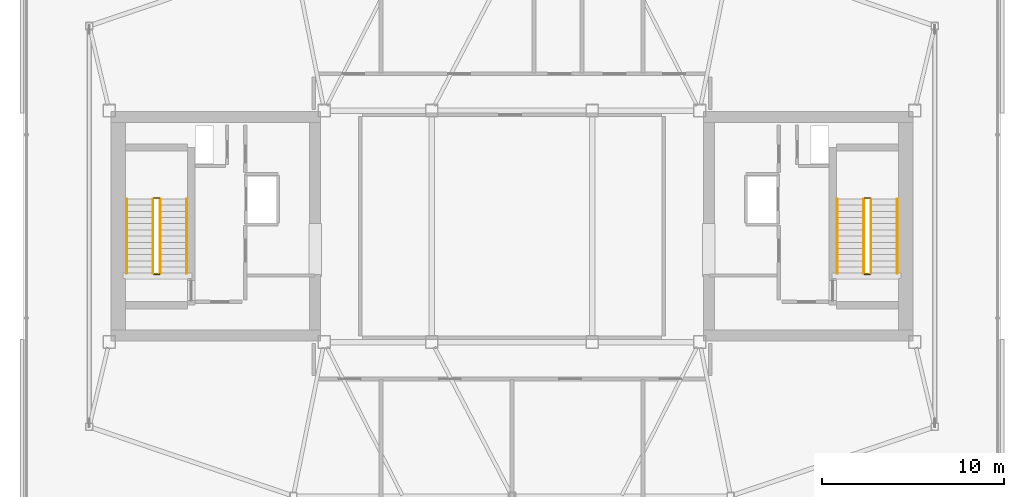
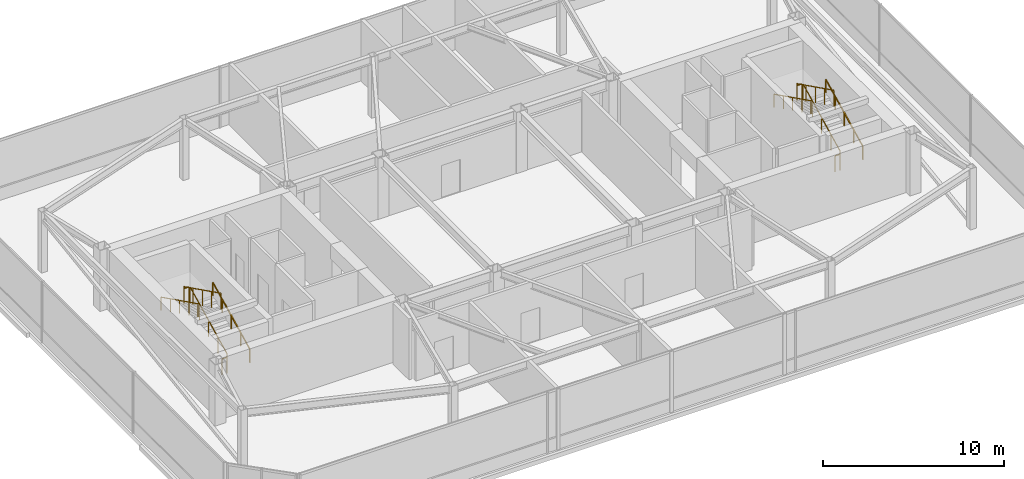
# One storey, part 22 of 22: 12 railings.
"""IFC4 building model written with IfcOpenShell, lengths in metres."""

import ifcopenshell
import ifcopenshell.guid

model = None  # the IFC model being written
_history = None  # IfcOwnerHistory: only IFC2X3 demands one
_inside = {}  # id of a spatial element -> (the spatial element, [elements in it])
_under = {}  # id of a project, library or spatial element -> (it, [spatial elements below it])
_declared = {}  # id of a project -> (the project, [libraries it declares])
_typed = {}  # id of a type object -> (the type object, [elements of that type])
_made_of = {}  # id of a material, layer set ... -> (it, [elements and type objects made of it])


def new_model(schema):
    """Start an empty IFC model of exactly this schema.

    Asked for "IFC4X3", IfcOpenShell would pick the latest addendum, in which some entities
    have other attributes; the version numbers below select the first issue.
    IFC2X3 requires an IfcOwnerHistory on every rooted entity: one is made here for all.
    """
    global model, _history
    if schema == "IFC4X3":
        model = ifcopenshell.file(schema_version=(4, 3, 0, 0))
    else:
        model = ifcopenshell.file(schema=schema)
    _inside.clear()
    _under.clear()
    _declared.clear()
    _typed.clear()
    _made_of.clear()
    _history = None
    if model.schema == "IFC2X3":
        org = make("IfcOrganization", Name="unknown")
        user = make(
            "IfcPersonAndOrganization",
            ThePerson=make("IfcPerson", FamilyName="unknown"),
            TheOrganization=org,
        )
        app = make(
            "IfcApplication",
            ApplicationDeveloper=org,
            Version="unknown",
            ApplicationFullName="unknown",
            ApplicationIdentifier="unknown",
        )
        _history = make(
            "IfcOwnerHistory",
            OwningUser=user,
            OwningApplication=app,
            ChangeAction="ADDED",
            CreationDate=0,
        )
    return model


def make(cls, **values):
    """One entity of the class cls with the attributes given. An attribute that is None is left unset."""
    return model.create_entity(
        cls, **{name: value for name, value in values.items() if value is not None}
    )


def rooted(cls, **values):
    """An entity with a GlobalId (a new one), such as an element, a storey or a relation."""
    return make(cls, GlobalId=ifcopenshell.guid.new(), OwnerHistory=_history, **values)


def si_unit(unit_type, name, prefix=None):
    """IfcSIUnit, for example si_unit("LENGTHUNIT", "METRE", prefix="MILLI")."""
    return make("IfcSIUnit", UnitType=unit_type, Prefix=prefix, Name=name)


def assignment(units):
    """IfcUnitAssignment: the units of a project."""
    return None if units is None else make("IfcUnitAssignment", Units=units)


def point(xyz):
    """IfcCartesianPoint."""
    return None if xyz is None else make("IfcCartesianPoint", Coordinates=xyz)


def direction(xyz):
    """IfcDirection."""
    return None if xyz is None else make("IfcDirection", DirectionRatios=xyz)


def frame(location, z_axis=None, x_axis=None):
    """IfcAxis2Placement3D, a coordinate frame: its origin and axes. An axis left out is left unset."""
    return make(
        "IfcAxis2Placement3D",
        Location=point(location),
        Axis=direction(z_axis),
        RefDirection=direction(x_axis),
    )


def frame_2d(location, x_axis=None):
    """IfcAxis2Placement2D, a coordinate frame in the plane: its origin and x axis."""
    return make(
        "IfcAxis2Placement2D", Location=point(location), RefDirection=direction(x_axis)
    )


def origin():
    """The frame at (0, 0, 0) with its axes left unset."""
    return frame((0.0, 0.0, 0.0))


def origin_2d():
    """The frame at (0, 0) in the plane with its x axis left unset."""
    return frame_2d((0.0, 0.0))


def place(relative_to, where):
    """IfcLocalPlacement: puts the frame where relative to a parent placement (None: the world)."""
    return make(
        "IfcLocalPlacement", PlacementRelTo=relative_to, RelativePlacement=where
    )


def context(
    kind, dimensions, precision=None, world=None, true_north=None, identifier=None
):
    """IfcGeometricRepresentationContext, for example the 3D "Model" context."""
    return make(
        "IfcGeometricRepresentationContext",
        ContextIdentifier=identifier,
        ContextType=kind,
        CoordinateSpaceDimension=dimensions,
        Precision=precision,
        WorldCoordinateSystem=world,
        TrueNorth=true_north,
    )


def subcontext(parent, identifier, kind, view, scale=None):
    """IfcGeometricRepresentationSubContext, for example "Body" below "Model"."""
    return make(
        "IfcGeometricRepresentationSubContext",
        ContextIdentifier=identifier,
        ContextType=kind,
        ParentContext=parent,
        TargetScale=scale,
        TargetView=view,
    )


def project(units=None, contexts=None):
    """IfcProject with its units and contexts."""
    return rooted(
        "IfcProject",
        Name="project",
        RepresentationContexts=contexts,
        UnitsInContext=assignment(units),
    )


def spatial(cls, under=None, at=None, **own):
    """A site, building, storey or space (cls), placed at a placement, below another one or the project."""
    s = rooted(cls, ObjectPlacement=at, **own)
    if under is not None:
        _under.setdefault(under.id(), (under, []))[1].append(s)
    return s


def profile(cls, at=None, kind="AREA", **sizes):
    """A parametric profile (cls). Its sizes go by their IFC names, for example OverallWidth=200.0."""
    return make(cls, ProfileType=kind, Position=at, **sizes)


def rectangle(**sizes):
    """IfcRectangleProfileDef."""
    return profile("IfcRectangleProfileDef", **sizes)


def extrude(swept, where, along, depth):
    """IfcExtrudedAreaSolid: the profile swept, set in the frame where, extruded along a direction by depth."""
    return make(
        "IfcExtrudedAreaSolid",
        SweptArea=swept,
        Position=where,
        ExtrudedDirection=direction(along),
        Depth=depth,
    )


def shape(context_of_items, identifier, shape_type, items):
    """IfcShapeRepresentation: the items that make up one representation, for example the "Body"."""
    return make(
        "IfcShapeRepresentation",
        ContextOfItems=context_of_items,
        RepresentationIdentifier=identifier,
        RepresentationType=shape_type,
        Items=items,
    )


def material(Name=None, Category=None):
    """IfcMaterial."""
    return make("IfcMaterial", Name=Name, Category=Category)


def layer(
    of_material, thickness, ventilated=None, Name=None, Category=None, Priority=None
):
    """IfcMaterialLayer: one layer of a wall or slab, of a material (None: an air gap)."""
    return make(
        "IfcMaterialLayer",
        Material=of_material,
        LayerThickness=thickness,
        IsVentilated=ventilated,
        Name=Name,
        Category=Category,
        Priority=Priority,
    )


def layer_set(layers, Name=None):
    """IfcMaterialLayerSet."""
    return make("IfcMaterialLayerSet", MaterialLayers=layers, LayerSetName=Name)


def made_of(thing, what):
    """Note that an element or type object is made of a material, layer set ...; save() writes the relation."""
    if what is not None:
        _made_of.setdefault(what.id(), (what, []))[1].append(thing)
    return thing


def type_object(cls, material=None, **own):
    """A type object (cls), such as IfcWallType, which elements share."""
    return made_of(rooted(cls, **own), material)


def element(
    cls,
    number,
    at=None,
    inside=None,
    cuts=None,
    type_object=None,
    material=None,
    context=None,
    identifier="Body",
    shape_type=None,
    held_by="IfcProductDefinitionShape",
    body=None,
    shapes=None,
    **own,
):
    """One element of the class cls, such as IfcWall. Its Tag is "e" and its number.

    at: its placement. inside: the storey or other place that contains it. cuts: it is an
    opening in that element (IfcRelVoidsElement). A single representation is given by context,
    identifier, shape_type and body (its items); several are given by shapes. held_by: the class
    of the entity that holds the representations. save() writes the other relations.
    """
    e = rooted(cls, Tag="e%d" % number, ObjectPlacement=at, **own)
    if body is not None:
        shapes = [shape(context, identifier, shape_type, body)]
    if shapes is not None:
        e.Representation = make(held_by, Representations=shapes)
    if inside is not None:
        _inside.setdefault(inside.id(), (inside, []))[1].append(e)
    if cuts is not None:
        rooted(
            "IfcRelVoidsElement", RelatingBuildingElement=cuts, RelatedOpeningElement=e
        )
    if type_object is not None:
        _typed.setdefault(type_object.id(), (type_object, []))[1].append(e)
    return made_of(e, material)


def aggregate(whole, parts):
    """IfcRelAggregates: a whole, such as a stair, and the parts it consists of."""
    return rooted("IfcRelAggregates", RelatingObject=whole, RelatedObjects=parts)


def save(model, path):
    """Write the relations noted so far, then the file.

    IfcRelAggregates (storeys below a building ...), IfcRelContainedInSpatialStructure (elements
    in a storey), IfcRelDefinesByType, IfcRelAssociatesMaterial and IfcRelDeclares: one each for
    every whole, place, type object, material and project.
    """
    for whole, parts in _under.values():
        aggregate(whole, parts)
    for where, things in _inside.values():
        rooted(
            "IfcRelContainedInSpatialStructure",
            RelatedElements=things,
            RelatingStructure=where,
        )
    for kind, things in _typed.values():
        rooted("IfcRelDefinesByType", RelatedObjects=things, RelatingType=kind)
    for what, things in _made_of.values():
        rooted("IfcRelAssociatesMaterial", RelatedObjects=things, RelatingMaterial=what)
    for by, libraries in _declared.values():
        rooted("IfcRelDeclares", RelatingContext=by, RelatedDefinitions=libraries)
    model.write(path)


model = new_model("IFC4")

# Units and contexts
model_context = context("Model", 3, precision=1e-05, world=origin(), true_north=direction((0.0, 1.0)))
body_context = subcontext(model_context, "Body", "Model", "MODEL_VIEW")
ifc_project = project(units=[si_unit("LENGTHUNIT", "METRE"), si_unit("AREAUNIT", "SQUARE_METRE"), si_unit("VOLUMEUNIT", "CUBIC_METRE"), si_unit("PLANEANGLEUNIT", "RADIAN"), si_unit("MASSUNIT", "GRAM", prefix="KILO")], contexts=[model_context])

# Site, building, storey
site_placement = place(None, origin())
site = spatial("IfcSite", under=ifc_project, at=site_placement, CompositionType="ELEMENT")
building_placement = place(site_placement, origin())
building = spatial("IfcBuilding", under=site, at=building_placement, Name="Tavrogorsk Clinical Tower", CompositionType="ELEMENT")
storey_placement = place(building_placement, frame((0.0, 0.0, 339.800048828125)))
storey = spatial("IfcBuildingStorey", under=building, at=storey_placement, Name="L79", CompositionType="ELEMENT", Elevation=339.800048828125)

# Railings
ifc_material_1 = material(Name="Galvanised steel S355 safety stairwell guard", Category="steel")
ifc_layer_1 = layer(ifc_material_1, 0.06005859375)
ifc_layer_set_1 = layer_set([ifc_layer_1], Name="Galvanised steel S355 safety stairwell guard")
railing_type_1 = type_object("IfcRailingType", Name="StairGuard_1150", PredefinedType="GUARDRAIL", material=ifc_layer_set_1)
railing_1_placement = place(storey_placement, frame((-19.300048828125, -2.574951171875, 0.169189453125)))
element("IfcRailing", 1, at=railing_1_placement, inside=storey, type_object=railing_type_1, Name="L79 ST-W stair guard 1", PredefinedType="GUARDRAIL", context=body_context, shape_type="SweptSolid", body=[
    extrude(rectangle(XDim=0.048095703125, YDim=0.048095703125, at=origin_2d()), frame((0.0, 0.0, 1.076171875), z_axis=(0.0, 0.895229316009, 0.445605735777), x_axis=(-1.0, 0.0, 0.0)), (0.0, 0.0, 1.0), 4.557373046875),
    extrude(rectangle(XDim=0.0419921875, YDim=0.0419921875, at=origin_2d()), origin(), (0.0, 0.0, 1.0), 1.052001953125),
    extrude(rectangle(XDim=0.0419921875, YDim=0.0419921875, at=origin_2d()), frame((0.0, 1.02001953125, 0.5078125)), (0.0, 0.0, 1.0), 1.052001953125),
    extrude(rectangle(XDim=0.0419921875, YDim=0.0419921875, at=origin_2d()), frame((0.0, 2.0400390625, 1.015380859375)), (0.0, 0.0, 1.0), 1.052001953125),
    extrude(rectangle(XDim=0.0419921875, YDim=0.0419921875, at=origin_2d()), frame((0.0, 3.059814453125, 1.52294921875)), (0.0, 0.0, 1.0), 1.052001953125),
    extrude(rectangle(XDim=0.0419921875, YDim=0.0419921875, at=origin_2d()), frame((0.0, 4.079833984375, 2.03076171875)), (0.0, 0.0, 1.0), 1.052001953125),
])
railing_2_placement = place(storey_placement, frame((-19.35009765625, 1.554931640625, 2.199951171875)))
element("IfcRailing", 2, at=railing_2_placement, inside=storey, type_object=railing_type_1, Name="L79 ST-W stair guard 2", PredefinedType="GUARDRAIL", context=body_context, shape_type="SweptSolid", body=[
    extrude(rectangle(XDim=0.048095703125, YDim=0.048095703125, at=origin_2d()), frame((0.0, 0.0, 1.076171875), z_axis=(-1.0, 0.0, 0.0), x_axis=(0.0, -1.0, 0.0)), (0.0, 0.0, 1.0), 0.2998046875),
    extrude(rectangle(XDim=0.0419921875, YDim=0.0419921875, at=origin_2d()), origin(), (0.0, 0.0, 1.0), 1.052001953125),
    extrude(rectangle(XDim=0.0419921875, YDim=0.0419921875, at=origin_2d()), frame((-0.2998046875, 0.0, 0.0)), (0.0, 0.0, 1.0), 1.052001953125),
])
railing_3_placement = place(storey_placement, frame((-19.699951171875, 1.5048828125, 2.369140625)))
element("IfcRailing", 3, at=railing_3_placement, inside=storey, type_object=railing_type_1, Name="L79 ST-W stair guard 3", PredefinedType="GUARDRAIL", context=body_context, shape_type="SweptSolid", body=[
    extrude(rectangle(XDim=0.048095703125, YDim=0.048095703125, at=origin_2d()), frame((0.0, 0.0, 1.076171875), z_axis=(0.0, -0.895229316009, 0.445605735777), x_axis=(1.0, 0.0, 0.0)), (0.0, 0.0, 1.0), 4.557373046875),
    extrude(rectangle(XDim=0.0419921875, YDim=0.0419921875, at=origin_2d()), origin(), (0.0, 0.0, 1.0), 1.052001953125),
    extrude(rectangle(XDim=0.0419921875, YDim=0.0419921875, at=origin_2d()), frame((0.0, -1.02001953125, 0.5078125)), (0.0, 0.0, 1.0), 1.052001953125),
    extrude(rectangle(XDim=0.0419921875, YDim=0.0419921875, at=origin_2d()), frame((0.0, -2.0400390625, 1.015380859375)), (0.0, 0.0, 1.0), 1.052001953125),
    extrude(rectangle(XDim=0.0419921875, YDim=0.0419921875, at=origin_2d()), frame((0.0, -3.059814453125, 1.52294921875)), (0.0, 0.0, 1.0), 1.052001953125),
    extrude(rectangle(XDim=0.0419921875, YDim=0.0419921875, at=origin_2d()), frame((0.0, -4.079833984375, 2.03076171875)), (0.0, 0.0, 1.0), 1.052001953125),
])
railing_4_placement = place(storey_placement, frame((-19.35009765625, -2.625, 0.0)))
element("IfcRailing", 4, at=railing_4_placement, inside=storey, type_object=railing_type_1, Name="L79 ST-W stair guard 4", PredefinedType="GUARDRAIL", context=body_context, shape_type="SweptSolid", body=[
    extrude(rectangle(XDim=0.048095703125, YDim=0.048095703125, at=origin_2d()), frame((0.0, 0.0, 1.076171875), z_axis=(-1.0, 0.0, 0.0), x_axis=(0.0, -1.0, 0.0)), (0.0, 0.0, 1.0), 0.2998046875),
    extrude(rectangle(XDim=0.0419921875, YDim=0.0419921875, at=origin_2d()), origin(), (0.0, 0.0, 1.0), 1.052001953125),
    extrude(rectangle(XDim=0.0419921875, YDim=0.0419921875, at=origin_2d()), frame((-0.2998046875, 0.0, 0.0)), (0.0, 0.0, 1.0), 1.052001953125),
])
railing_5_placement = place(storey_placement, frame((19.699951171875, -2.574951171875, 0.169189453125)))
element("IfcRailing", 5, at=railing_5_placement, inside=storey, type_object=railing_type_1, Name="L79 ST-E stair guard 1", PredefinedType="GUARDRAIL", context=body_context, shape_type="SweptSolid", body=[
    extrude(rectangle(XDim=0.048095703125, YDim=0.048095703125, at=origin_2d()), frame((0.0, 0.0, 1.076171875), z_axis=(0.0, 0.895229316009, 0.445605735777), x_axis=(-1.0, 0.0, 0.0)), (0.0, 0.0, 1.0), 4.557373046875),
    extrude(rectangle(XDim=0.0419921875, YDim=0.0419921875, at=origin_2d()), origin(), (0.0, 0.0, 1.0), 1.052001953125),
    extrude(rectangle(XDim=0.0419921875, YDim=0.0419921875, at=origin_2d()), frame((0.0, 1.02001953125, 0.5078125)), (0.0, 0.0, 1.0), 1.052001953125),
    extrude(rectangle(XDim=0.0419921875, YDim=0.0419921875, at=origin_2d()), frame((0.0, 2.0400390625, 1.015380859375)), (0.0, 0.0, 1.0), 1.052001953125),
    extrude(rectangle(XDim=0.0419921875, YDim=0.0419921875, at=origin_2d()), frame((0.0, 3.059814453125, 1.52294921875)), (0.0, 0.0, 1.0), 1.052001953125),
    extrude(rectangle(XDim=0.0419921875, YDim=0.0419921875, at=origin_2d()), frame((0.0, 4.079833984375, 2.03076171875)), (0.0, 0.0, 1.0), 1.052001953125),
])
railing_6_placement = place(storey_placement, frame((19.64990234375, 1.554931640625, 2.199951171875)))
element("IfcRailing", 6, at=railing_6_placement, inside=storey, type_object=railing_type_1, Name="L79 ST-E stair guard 2", PredefinedType="GUARDRAIL", context=body_context, shape_type="SweptSolid", body=[
    extrude(rectangle(XDim=0.048095703125, YDim=0.048095703125, at=origin_2d()), frame((0.0, 0.0, 1.076171875), z_axis=(-1.0, 0.0, 0.0), x_axis=(0.0, -1.0, 0.0)), (0.0, 0.0, 1.0), 0.2998046875),
    extrude(rectangle(XDim=0.0419921875, YDim=0.0419921875, at=origin_2d()), origin(), (0.0, 0.0, 1.0), 1.052001953125),
    extrude(rectangle(XDim=0.0419921875, YDim=0.0419921875, at=origin_2d()), frame((-0.2998046875, 0.0, 0.0)), (0.0, 0.0, 1.0), 1.052001953125),
])
railing_7_placement = place(storey_placement, frame((19.300048828125, 1.5048828125, 2.369140625)))
element("IfcRailing", 7, at=railing_7_placement, inside=storey, type_object=railing_type_1, Name="L79 ST-E stair guard 3", PredefinedType="GUARDRAIL", context=body_context, shape_type="SweptSolid", body=[
    extrude(rectangle(XDim=0.048095703125, YDim=0.048095703125, at=origin_2d()), frame((0.0, 0.0, 1.076171875), z_axis=(0.0, -0.895229316009, 0.445605735777), x_axis=(1.0, 0.0, 0.0)), (0.0, 0.0, 1.0), 4.557373046875),
    extrude(rectangle(XDim=0.0419921875, YDim=0.0419921875, at=origin_2d()), origin(), (0.0, 0.0, 1.0), 1.052001953125),
    extrude(rectangle(XDim=0.0419921875, YDim=0.0419921875, at=origin_2d()), frame((0.0, -1.02001953125, 0.5078125)), (0.0, 0.0, 1.0), 1.052001953125),
    extrude(rectangle(XDim=0.0419921875, YDim=0.0419921875, at=origin_2d()), frame((0.0, -2.0400390625, 1.015380859375)), (0.0, 0.0, 1.0), 1.052001953125),
    extrude(rectangle(XDim=0.0419921875, YDim=0.0419921875, at=origin_2d()), frame((0.0, -3.059814453125, 1.52294921875)), (0.0, 0.0, 1.0), 1.052001953125),
    extrude(rectangle(XDim=0.0419921875, YDim=0.0419921875, at=origin_2d()), frame((0.0, -4.079833984375, 2.03076171875)), (0.0, 0.0, 1.0), 1.052001953125),
])
railing_8_placement = place(storey_placement, frame((19.64990234375, -2.625, 0.0)))
element("IfcRailing", 8, at=railing_8_placement, inside=storey, type_object=railing_type_1, Name="L79 ST-E stair guard 4", PredefinedType="GUARDRAIL", context=body_context, shape_type="SweptSolid", body=[
    extrude(rectangle(XDim=0.048095703125, YDim=0.048095703125, at=origin_2d()), frame((0.0, 0.0, 1.076171875), z_axis=(-1.0, 0.0, 0.0), x_axis=(0.0, -1.0, 0.0)), (0.0, 0.0, 1.0), 0.2998046875),
    extrude(rectangle(XDim=0.0419921875, YDim=0.0419921875, at=origin_2d()), origin(), (0.0, 0.0, 1.0), 1.052001953125),
    extrude(rectangle(XDim=0.0419921875, YDim=0.0419921875, at=origin_2d()), frame((-0.2998046875, 0.0, 0.0)), (0.0, 0.0, 1.0), 1.052001953125),
])
ifc_material_2 = material(Name="Stainless steel AISI 304 tubular handrail", Category="steel")
ifc_layer_2 = layer(ifc_material_2, 0.050048828125)
ifc_layer_set_2 = layer_set([ifc_layer_2], Name="Stainless steel AISI 304 tubular handrail")
railing_type_2 = type_object("IfcRailingType", Name="StairHandrail_920", PredefinedType="HANDRAIL", material=ifc_layer_set_2)
railing_9_placement = place(storey_placement, frame((-17.85009765625, -2.574951171875, 0.169189453125)))
element("IfcRailing", 9, at=railing_9_placement, inside=storey, type_object=railing_type_2, Name="L79 ST-W stair handrail 1", PredefinedType="HANDRAIL", context=body_context, shape_type="SweptSolid", body=[
    extrude(rectangle(XDim=0.048095703125, YDim=0.048095703125, at=origin_2d()), frame((0.0, 0.0, 0.8759765625), z_axis=(0.0, 0.895229316009, 0.445605735777), x_axis=(-1.0, 0.0, 0.0)), (0.0, 0.0, 1.0), 4.557373046875),
    extrude(rectangle(XDim=0.0419921875, YDim=0.0419921875, at=origin_2d()), origin(), (0.0, 0.0, 1.0), 0.851806640625),
    extrude(rectangle(XDim=0.0419921875, YDim=0.0419921875, at=origin_2d()), frame((0.0, 1.02001953125, 0.5078125)), (0.0, 0.0, 1.0), 0.851806640625),
    extrude(rectangle(XDim=0.0419921875, YDim=0.0419921875, at=origin_2d()), frame((0.0, 2.0400390625, 1.015380859375)), (0.0, 0.0, 1.0), 0.851806640625),
    extrude(rectangle(XDim=0.0419921875, YDim=0.0419921875, at=origin_2d()), frame((0.0, 3.059814453125, 1.52294921875)), (0.0, 0.0, 1.0), 0.851806640625),
    extrude(rectangle(XDim=0.0419921875, YDim=0.0419921875, at=origin_2d()), frame((0.0, 4.079833984375, 2.03076171875)), (0.0, 0.0, 1.0), 0.851806640625),
])
railing_10_placement = place(storey_placement, frame((-21.14990234375, 1.5048828125, 2.369140625)))
element("IfcRailing", 10, at=railing_10_placement, inside=storey, type_object=railing_type_2, Name="L79 ST-W stair handrail 2", PredefinedType="HANDRAIL", context=body_context, shape_type="SweptSolid", body=[
    extrude(rectangle(XDim=0.048095703125, YDim=0.048095703125, at=origin_2d()), frame((0.0, 0.0, 0.8759765625), z_axis=(0.0, -0.895229316009, 0.445605735777), x_axis=(1.0, 0.0, 0.0)), (0.0, 0.0, 1.0), 4.557373046875),
    extrude(rectangle(XDim=0.0419921875, YDim=0.0419921875, at=origin_2d()), origin(), (0.0, 0.0, 1.0), 0.851806640625),
    extrude(rectangle(XDim=0.0419921875, YDim=0.0419921875, at=origin_2d()), frame((0.0, -1.02001953125, 0.5078125)), (0.0, 0.0, 1.0), 0.851806640625),
    extrude(rectangle(XDim=0.0419921875, YDim=0.0419921875, at=origin_2d()), frame((0.0, -2.0400390625, 1.015380859375)), (0.0, 0.0, 1.0), 0.851806640625),
    extrude(rectangle(XDim=0.0419921875, YDim=0.0419921875, at=origin_2d()), frame((0.0, -3.059814453125, 1.52294921875)), (0.0, 0.0, 1.0), 0.851806640625),
    extrude(rectangle(XDim=0.0419921875, YDim=0.0419921875, at=origin_2d()), frame((0.0, -4.079833984375, 2.03076171875)), (0.0, 0.0, 1.0), 0.851806640625),
])
railing_11_placement = place(storey_placement, frame((21.14990234375, -2.574951171875, 0.169189453125)))
element("IfcRailing", 11, at=railing_11_placement, inside=storey, type_object=railing_type_2, Name="L79 ST-E stair handrail 1", PredefinedType="HANDRAIL", context=body_context, shape_type="SweptSolid", body=[
    extrude(rectangle(XDim=0.048095703125, YDim=0.048095703125, at=origin_2d()), frame((0.0, 0.0, 0.8759765625), z_axis=(0.0, 0.895229316009, 0.445605735777), x_axis=(-1.0, 0.0, 0.0)), (0.0, 0.0, 1.0), 4.557373046875),
    extrude(rectangle(XDim=0.0419921875, YDim=0.0419921875, at=origin_2d()), origin(), (0.0, 0.0, 1.0), 0.851806640625),
    extrude(rectangle(XDim=0.0419921875, YDim=0.0419921875, at=origin_2d()), frame((0.0, 1.02001953125, 0.5078125)), (0.0, 0.0, 1.0), 0.851806640625),
    extrude(rectangle(XDim=0.0419921875, YDim=0.0419921875, at=origin_2d()), frame((0.0, 2.0400390625, 1.015380859375)), (0.0, 0.0, 1.0), 0.851806640625),
    extrude(rectangle(XDim=0.0419921875, YDim=0.0419921875, at=origin_2d()), frame((0.0, 3.059814453125, 1.52294921875)), (0.0, 0.0, 1.0), 0.851806640625),
    extrude(rectangle(XDim=0.0419921875, YDim=0.0419921875, at=origin_2d()), frame((0.0, 4.079833984375, 2.03076171875)), (0.0, 0.0, 1.0), 0.851806640625),
])
railing_12_placement = place(storey_placement, frame((17.85009765625, 1.5048828125, 2.369140625)))
element("IfcRailing", 12, at=railing_12_placement, inside=storey, type_object=railing_type_2, Name="L79 ST-E stair handrail 2", PredefinedType="HANDRAIL", context=body_context, shape_type="SweptSolid", body=[
    extrude(rectangle(XDim=0.048095703125, YDim=0.048095703125, at=origin_2d()), frame((0.0, 0.0, 0.8759765625), z_axis=(0.0, -0.895229316009, 0.445605735777), x_axis=(1.0, 0.0, 0.0)), (0.0, 0.0, 1.0), 4.557373046875),
    extrude(rectangle(XDim=0.0419921875, YDim=0.0419921875, at=origin_2d()), origin(), (0.0, 0.0, 1.0), 0.851806640625),
    extrude(rectangle(XDim=0.0419921875, YDim=0.0419921875, at=origin_2d()), frame((0.0, -1.02001953125, 0.5078125)), (0.0, 0.0, 1.0), 0.851806640625),
    extrude(rectangle(XDim=0.0419921875, YDim=0.0419921875, at=origin_2d()), frame((0.0, -2.0400390625, 1.015380859375)), (0.0, 0.0, 1.0), 0.851806640625),
    extrude(rectangle(XDim=0.0419921875, YDim=0.0419921875, at=origin_2d()), frame((0.0, -3.059814453125, 1.52294921875)), (0.0, 0.0, 1.0), 0.851806640625),
    extrude(rectangle(XDim=0.0419921875, YDim=0.0419921875, at=origin_2d()), frame((0.0, -4.079833984375, 2.03076171875)), (0.0, 0.0, 1.0), 0.851806640625),
])

save(model, "model.ifc")
